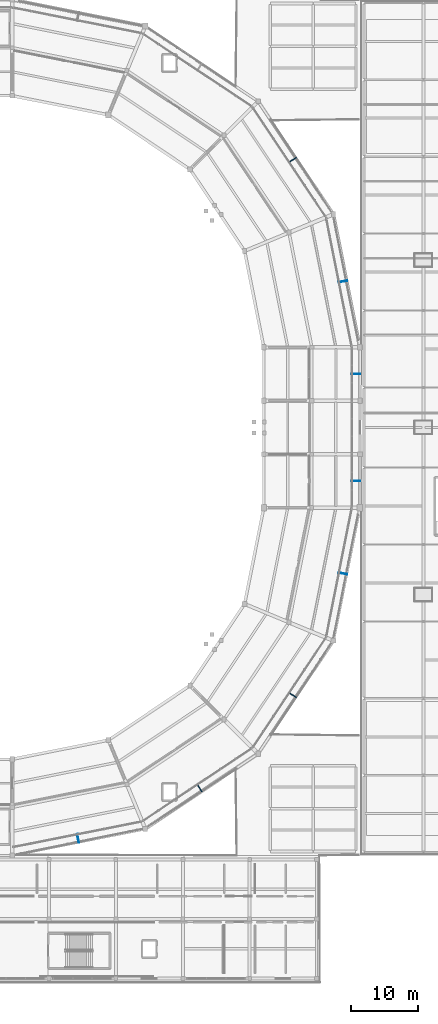
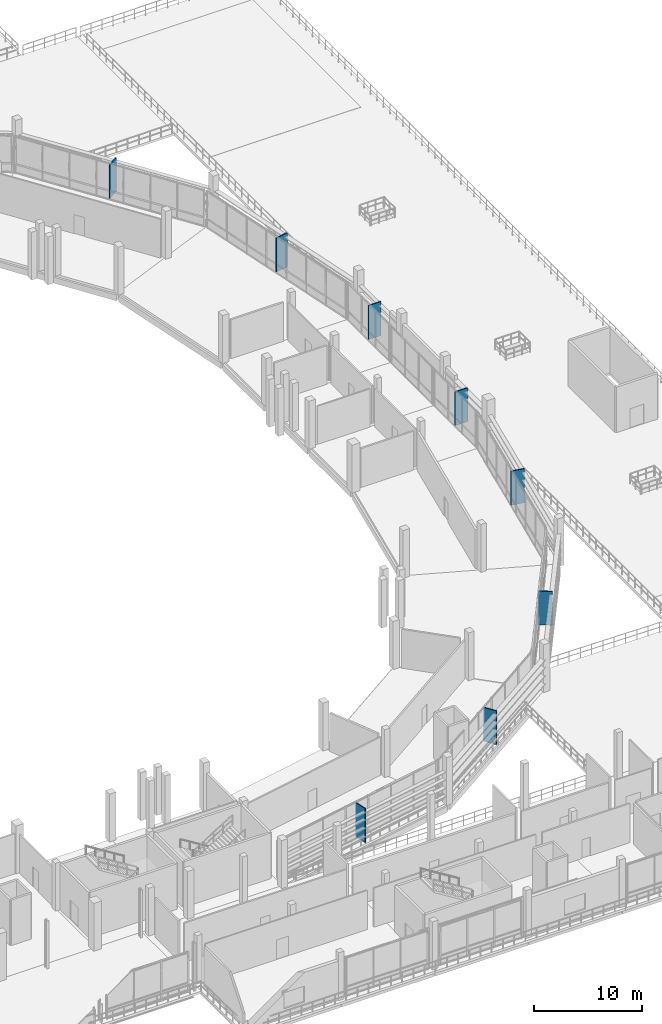
# One storey, part 85 of 111: 8 discrete accessories.
"""IFC4 building model written with IfcOpenShell, lengths in metres."""

from ifc_helpers import new_model, si_unit, direction, frame, origin, origin_2d, place, context, subcontext, project, spatial, rectangle, extrude, material, type_object, element, save


model = new_model("IFC4")

# Units and contexts
model_context = context("Model", 3, precision=1e-05, world=origin(), true_north=direction((0.0, 1.0)))
body_context = subcontext(model_context, "Body", "Model", "MODEL_VIEW")
ifc_project = project(units=[si_unit("LENGTHUNIT", "METRE"), si_unit("AREAUNIT", "SQUARE_METRE"), si_unit("VOLUMEUNIT", "CUBIC_METRE"), si_unit("PLANEANGLEUNIT", "RADIAN"), si_unit("MASSUNIT", "GRAM", prefix="KILO")], contexts=[model_context])

# Site, building, storey
site_placement = place(None, origin())
site = spatial("IfcSite", under=ifc_project, at=site_placement, CompositionType="ELEMENT")
building_placement = place(site_placement, origin())
building = spatial("IfcBuilding", under=site, at=building_placement, Name="Candeia Ridge Stadium", CompositionType="ELEMENT")
storey_placement = place(building_placement, frame((0.0, 0.0, 16.199951171875)))
storey = spatial("IfcBuildingStorey", under=building, at=storey_placement, Name="L03", CompositionType="ELEMENT", Elevation=16.199951171875)

# Discrete accessories
ifc_material = material(Name="Steel ASTM A572 Grade 50", Category="steel")
discrete_accessory_type = type_object("IfcDiscreteAccessoryType", Name="Solar Rib Outrigger Bracket BRK1", PredefinedType="BRACKET", material=ifc_material)
discrete_accessory_1_placement = place(storey_placement, frame((150.8349609375, 21.556396484375, 0.2001953125), z_axis=(0.0, 0.0, 1.0), x_axis=(0.19509022785, -0.980785299134, 0.0)))
element("IfcDiscreteAccessory", 1, at=discrete_accessory_1_placement, inside=storey, type_object=discrete_accessory_type, Name="Solar rib steel outrigger bracket L03 bay 26", PredefinedType="BRACKET", context=body_context, shape_type="SweptSolid", body=[
    extrude(rectangle(XDim=1.35009765625, YDim=0.1201171875, at=origin_2d()), origin(), (0.0, 0.0, 1.0), 3.844970703125),
])
for number, where, z_axis, x_axis, name in (
    (2, (169.007568359375, 29.083740234375, 0.2001953125), (0.0, 0.0, 1.0), (0.555570172084, -0.831469653018, 0.0), "Solar rib steel outrigger bracket L03 bay 27"),
    (3, (182.916259765625, 42.992431640625, 0.2001953125), (0.0, 0.0, 1.0), (0.831469653018, -0.555570172084, 0.0), "Solar rib steel outrigger bracket L03 bay 28"),
):
    element("IfcDiscreteAccessory", number, at=place(storey_placement, frame(where, z_axis=z_axis, x_axis=x_axis)), inside=storey, type_object=discrete_accessory_type, Name=name, PredefinedType="BRACKET", context=body_context, shape_type="SweptSolid", body=[
        extrude(rectangle(XDim=1.35009765625, YDim=0.1201171875, at=origin_2d()), origin(), (0.0, 0.0, 1.0), 3.804931640625),
    ])
discrete_accessory_2_placement = place(storey_placement, frame((190.443603515625, 61.1650390625, 0.2001953125), z_axis=(0.0, 0.0, 1.0), x_axis=(0.980785299134, -0.19509022785, 0.0)))
element("IfcDiscreteAccessory", 4, at=discrete_accessory_2_placement, inside=storey, type_object=discrete_accessory_type, Name="Solar rib steel outrigger bracket L03 bay 29", PredefinedType="BRACKET", context=body_context, shape_type="SweptSolid", body=[
    extrude(rectangle(XDim=1.35009765625, YDim=0.1201171875, at=origin_2d()), origin(), (0.0, 0.0, 1.0), 3.844970703125),
])
discrete_accessory_3_placement = place(storey_placement, frame((192.39990234375, 75.0, 0.2001953125), z_axis=(0.0, 0.0, 1.0), x_axis=(1.0, 0.0, 0.0)))
element("IfcDiscreteAccessory", 5, at=discrete_accessory_3_placement, inside=storey, type_object=discrete_accessory_type, Name="Solar rib steel outrigger bracket L03 bay 30", PredefinedType="BRACKET", context=body_context, shape_type="SweptSolid", body=[
    extrude(rectangle(XDim=1.35009765625, YDim=0.1201171875, at=origin_2d()), origin(), (0.0, 0.0, 1.0), 3.804931640625),
])
discrete_accessory_4_placement = place(storey_placement, frame((192.39990234375, 91.0, 0.2001953125), z_axis=(0.0, 0.0, 1.0), x_axis=(1.0, 0.0, 0.0)))
element("IfcDiscreteAccessory", 6, at=discrete_accessory_4_placement, inside=storey, type_object=discrete_accessory_type, Name="Solar rib steel outrigger bracket L03 bay 32", PredefinedType="BRACKET", context=body_context, shape_type="SweptSolid", body=[
    extrude(rectangle(XDim=1.35009765625, YDim=0.1201171875, at=origin_2d()), origin(), (0.0, 0.0, 1.0), 3.844970703125),
])
for number, where, z_axis, x_axis, name in (
    (7, (190.443603515625, 104.8349609375, 0.2001953125), (0.0, 0.0, 1.0), (0.980785299134, 0.19509022785, 0.0), "Solar rib steel outrigger bracket L03 bay 33"),
    (8, (182.916259765625, 123.007568359375, 0.2001953125), (0.0, 0.0, 1.0), (0.831469653018, 0.555570172084, 0.0), "Solar rib steel outrigger bracket L03 bay 34"),
):
    element("IfcDiscreteAccessory", number, at=place(storey_placement, frame(where, z_axis=z_axis, x_axis=x_axis)), inside=storey, type_object=discrete_accessory_type, Name=name, PredefinedType="BRACKET", context=body_context, shape_type="SweptSolid", body=[
        extrude(rectangle(XDim=1.35009765625, YDim=0.1201171875, at=origin_2d()), origin(), (0.0, 0.0, 1.0), 3.804931640625),
    ])

save(model, "model.ifc")
